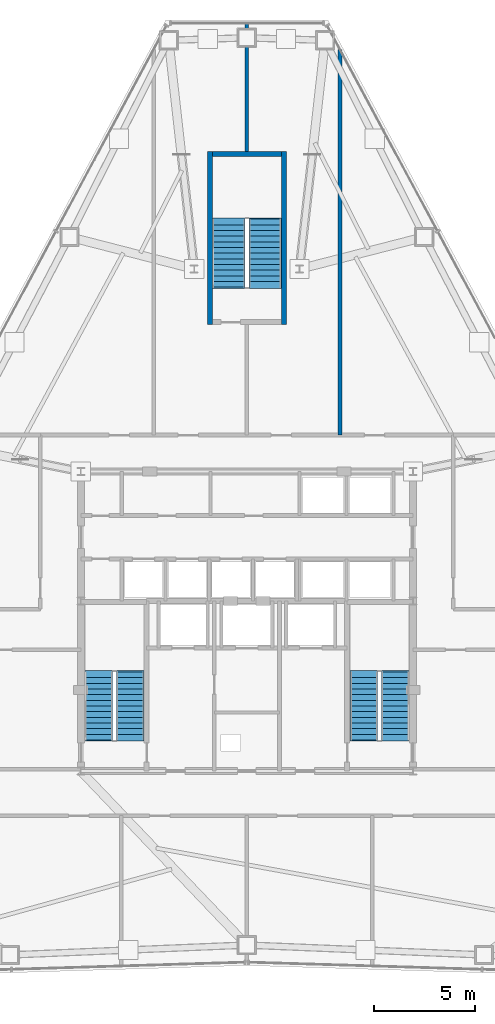
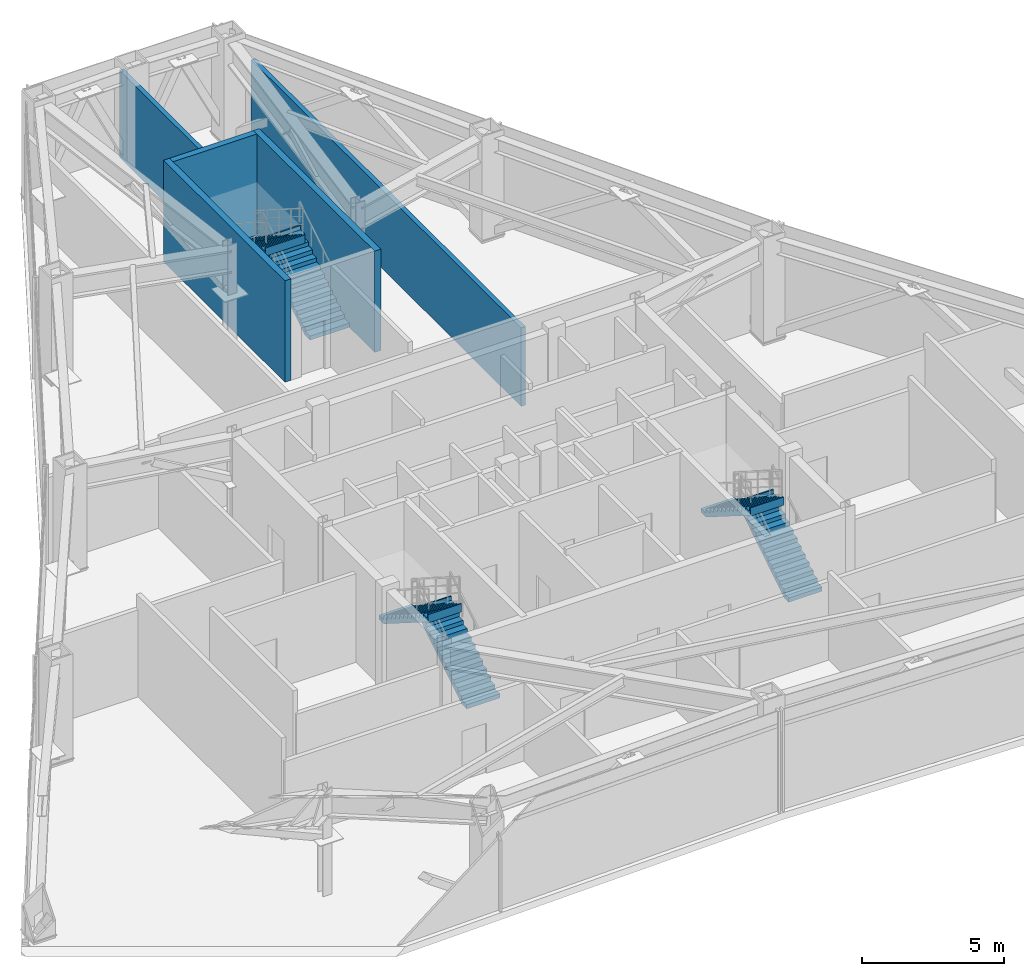
# One storey, part 11 of 12: 6 stair flights, 5 walls, 3 elements without a shape of their own.
"""IFC4 building model written with IfcOpenShell, lengths in metres."""

from ifc_helpers import new_model, si_unit, direction, frame, frame_2d, origin, place, context, subcontext, project, spatial, polyline, rectangle, outline, extrude, material, layer, layer_set, type_object, element, aggregate, save


model = new_model("IFC4")

# Units and contexts
model_context = context("Model", 3, precision=1e-05, world=origin(), true_north=direction((0.0, 1.0)))
body_context = subcontext(model_context, "Body", "Model", "MODEL_VIEW")
ifc_project = project(units=[si_unit("LENGTHUNIT", "METRE"), si_unit("AREAUNIT", "SQUARE_METRE"), si_unit("VOLUMEUNIT", "CUBIC_METRE"), si_unit("PLANEANGLEUNIT", "RADIAN"), si_unit("MASSUNIT", "GRAM", prefix="KILO")], contexts=[model_context])

# Site, building, storey
site_placement = place(None, origin())
site = spatial("IfcSite", under=ifc_project, at=site_placement, CompositionType="ELEMENT")
building_placement = place(site_placement, origin())
building = spatial("IfcBuilding", under=site, at=building_placement, Name="Varakhsha Concourse Tower", CompositionType="ELEMENT")
storey_placement = place(building_placement, frame((0.0, 0.0, 157.39990234375)))
storey = spatial("IfcBuildingStorey", under=building, at=storey_placement, Name="L45", CompositionType="ELEMENT", Elevation=157.39990234375)

# Walls
ifc_material_1 = material(Name="Fire-Rated Type X Gypsum Partition Assembly", Category="gypsum")
ifc_layer_1 = layer(ifc_material_1, 0.179931640625, Name="WL-PART-180")
ifc_layer_set_1 = layer_set([ifc_layer_1], Name="Fire-Rated Type X Gypsum Partition Assembly")
wall_type_1 = type_object("IfcWallType", Name="WL-PART-180", PredefinedType="PARTITIONING", material=ifc_layer_set_1)
wall_1_placement = place(storey_placement, frame((40.0, 47.0, 0.0), z_axis=(0.0, 0.0, 1.0), x_axis=(0.0, 1.0, 0.0)))
element("IfcWall", 1, at=wall_1_placement, inside=storey, type_object=wall_type_1, Name="L45 Wall PDIV-N2-L45-B", PredefinedType="PARTITIONING", context=body_context, shape_type="SweptSolid", body=[
    extrude(rectangle(XDim=6.33349609375, YDim=0.179931640625, at=frame_2d((3.166748046875, 0.0))), origin(), (0.0, 0.0, 1.0), 3.739013671875),
])
wall_2_placement = place(storey_placement, frame((44.60009765625, 33.0, 0.0), z_axis=(0.0, 0.0, 1.0), x_axis=(0.0, 1.0, 0.0)))
element("IfcWall", 2, at=wall_2_placement, inside=storey, type_object=wall_type_1, Name="L45 Wall PDIV-N3-L45", PredefinedType="PARTITIONING", context=body_context, shape_type="SweptSolid", body=[
    extrude(rectangle(XDim=19.033203125, YDim=0.179931640625, at=frame_2d((9.5166015625, 0.0))), origin(), (0.0, 0.0, 1.0), 3.375),
])
ifc_material_2 = material(Name="Concrete fc 45 MPa", Category="concrete")
ifc_layer_2 = layer(ifc_material_2, 0.25, Name="WL-STAIR-250")
ifc_layer_set_2 = layer_set([ifc_layer_2], Name="Concrete fc 45 MPa")
wall_type_2 = type_object("IfcWallType", Name="WL-STAIR-250", PredefinedType="SHEAR", material=ifc_layer_set_2)
for number, where, z_axis, x_axis, name in (
    (3, (38.175048828125, 38.449951171875, 0.0), (0.0, 0.0, 1.0), (0.0, 1.0, 0.0), "L45 Wall SWALL-ST5-W-L45"),
    (4, (41.824951171875, 38.449951171875, 0.0), (0.0, 0.0, 1.0), (0.0, 1.0, 0.0), "L45 Wall SWALL-ST5-E-L45"),
):
    element("IfcWall", number, at=place(storey_placement, frame(where, z_axis=z_axis, x_axis=x_axis)), inside=storey, type_object=wall_type_2, Name=name, PredefinedType="SHEAR", context=body_context, shape_type="SweptSolid", body=[
        extrude(rectangle(XDim=8.550048828125, YDim=0.25, at=frame_2d((4.27490234375, 0.0))), origin(), (0.0, 0.0, 1.0), 4.360107421875),
    ])
wall_3_placement = place(storey_placement, frame((38.300048828125, 46.875, 0.0), z_axis=(0.0, 0.0, 1.0), x_axis=(1.0, 0.0, 0.0)))
element("IfcWall", 5, at=wall_3_placement, inside=storey, type_object=wall_type_2, Name="L45 Wall SWALL-ST5-N-L45", PredefinedType="SHEAR", context=body_context, shape_type="SweptSolid", body=[
    extrude(rectangle(XDim=3.39990234375, YDim=0.25, at=frame_2d((1.699951171875, 0.0))), origin(), (0.0, 0.0, 1.0), 4.360107421875),
])

# Stair, stair flights
stair_type_1 = type_object("IfcStairType", Name="ST-DOGLEG-1360", PredefinedType="HALF_TURN_STAIR", material=ifc_material_2)
stair_1_placement = place(storey_placement, origin())
stair_1 = element("IfcStair", 6, at=stair_1_placement, inside=storey, type_object=stair_type_1, Name="L45 Protected Exit Stair ST1", PredefinedType="HALF_TURN_STAIR")
stair_flight_type_1 = type_object("IfcStairFlightType", Name="STF-1360-R1769", PredefinedType="STRAIGHT", material=ifc_material_2)
stair_flight_1_placement = place(storey_placement, frame((34.239990234375, 17.93994140625, 0.0), z_axis=(0.0, 0.0, 1.0), x_axis=(0.0, 1.0, 0.0)))
stair_flight_1 = element("IfcStairFlight", 7, at=stair_flight_1_placement, type_object=stair_flight_type_1, Name="ST1 flight 1", NumberOfRisers=13, NumberOfTreads=12, PredefinedType="STRAIGHT", RiserHeight=0.176923077, TreadLength=0.28, context=body_context, shape_type="SweptSolid", body=[
    extrude(outline(polyline([(-0.06005859375, 0.0), (-0.06005859375, 0.177001953125), (0.0, 0.177001953125), (0.280029296875, 0.177001953125), (0.280029296875, 0.353759765625), (0.56005859375, 0.353759765625), (0.56005859375, 0.53076171875), (0.840087890625, 0.53076171875), (0.840087890625, 0.707763671875), (1.1201171875, 0.707763671875), (1.1201171875, 0.884521484375), (1.39990234375, 0.884521484375), (1.39990234375, 1.0615234375), (1.679931640625, 1.0615234375), (1.679931640625, 1.238525390625), (1.9599609375, 1.238525390625), (1.9599609375, 1.415283203125), (2.239990234375, 1.415283203125), (2.239990234375, 1.59228515625), (2.52001953125, 1.59228515625), (2.52001953125, 1.769287109375), (2.800048828125, 1.769287109375), (2.800048828125, 1.946044921875), (3.080078125, 1.946044921875), (3.080078125, 2.123046875), (3.360107421875, 2.123046875), (3.360107421875, 2.300048828125), (3.419921875, 2.300048828125), (3.419921875, 1.94580078125), (3.360107421875, 1.94580078125), (0.280517578125, 0.0), (-0.06005859375, 0.0)])), frame((0.0, 0.68017578125, 0.0), z_axis=(0.0, -1.0, 0.0), x_axis=(1.0, 0.0, 0.0)), (0.0, 0.0, 1.0), 1.360107421875),
])
stair_flight_2_placement = place(storey_placement, frame((32.679931640625, 21.300048828125, 2.300048828125), z_axis=(0.0, 0.0, 1.0), x_axis=(0.0, -1.0, 0.0)))
stair_flight_2 = element("IfcStairFlight", 8, at=stair_flight_2_placement, type_object=stair_flight_type_1, Name="ST1 flight 2", NumberOfRisers=13, NumberOfTreads=12, PredefinedType="STRAIGHT", RiserHeight=0.176923077, TreadLength=0.28, context=body_context, shape_type="SweptSolid", body=[
    extrude(outline(polyline([(-0.06005859375, 0.0), (-0.06005859375, 0.177001953125), (0.0, 0.177001953125), (0.280029296875, 0.177001953125), (0.280029296875, 0.353759765625), (0.56005859375, 0.353759765625), (0.56005859375, 0.53076171875), (0.840087890625, 0.53076171875), (0.840087890625, 0.707763671875), (1.1201171875, 0.707763671875), (1.1201171875, 0.884521484375), (1.39990234375, 0.884521484375), (1.39990234375, 1.0615234375), (1.679931640625, 1.0615234375), (1.679931640625, 1.238525390625), (1.9599609375, 1.238525390625), (1.9599609375, 1.415283203125), (2.239990234375, 1.415283203125), (2.239990234375, 1.59228515625), (2.52001953125, 1.59228515625), (2.52001953125, 1.769287109375), (2.800048828125, 1.769287109375), (2.800048828125, 1.946044921875), (3.080078125, 1.946044921875), (3.080078125, 2.123046875), (3.360107421875, 2.123046875), (3.360107421875, 2.300048828125), (3.419921875, 2.300048828125), (3.419921875, 1.94580078125), (3.360107421875, 1.94580078125), (0.280517578125, 0.0), (-0.06005859375, 0.0)])), frame((0.0, 0.68017578125, 0.0), z_axis=(0.0, -1.0, 0.0), x_axis=(1.0, 0.0, 0.0)), (0.0, 0.0, 1.0), 1.360107421875),
])
aggregate(stair_1, [stair_flight_1, stair_flight_2])

stair_2_placement = place(storey_placement, origin())
stair_2 = element("IfcStair", 9, at=stair_2_placement, inside=storey, type_object=stair_type_1, Name="L45 Protected Exit Stair ST2", PredefinedType="HALF_TURN_STAIR")
stair_flight_3_placement = place(storey_placement, frame((47.340087890625, 17.93994140625, 0.0), z_axis=(0.0, 0.0, 1.0), x_axis=(0.0, 1.0, 0.0)))
stair_flight_3 = element("IfcStairFlight", 10, at=stair_flight_3_placement, type_object=stair_flight_type_1, Name="ST2 flight 1", NumberOfRisers=13, NumberOfTreads=12, PredefinedType="STRAIGHT", RiserHeight=0.176923077, TreadLength=0.28, context=body_context, shape_type="SweptSolid", body=[
    extrude(outline(polyline([(-0.06005859375, 0.0), (-0.06005859375, 0.177001953125), (0.0, 0.177001953125), (0.280029296875, 0.177001953125), (0.280029296875, 0.353759765625), (0.56005859375, 0.353759765625), (0.56005859375, 0.53076171875), (0.840087890625, 0.53076171875), (0.840087890625, 0.707763671875), (1.1201171875, 0.707763671875), (1.1201171875, 0.884521484375), (1.39990234375, 0.884521484375), (1.39990234375, 1.0615234375), (1.679931640625, 1.0615234375), (1.679931640625, 1.238525390625), (1.9599609375, 1.238525390625), (1.9599609375, 1.415283203125), (2.239990234375, 1.415283203125), (2.239990234375, 1.59228515625), (2.52001953125, 1.59228515625), (2.52001953125, 1.769287109375), (2.800048828125, 1.769287109375), (2.800048828125, 1.946044921875), (3.080078125, 1.946044921875), (3.080078125, 2.123046875), (3.360107421875, 2.123046875), (3.360107421875, 2.300048828125), (3.419921875, 2.300048828125), (3.419921875, 1.94580078125), (3.360107421875, 1.94580078125), (0.280517578125, 0.0), (-0.06005859375, 0.0)])), frame((0.0, 0.68017578125, 0.0), z_axis=(0.0, -1.0, 0.0), x_axis=(1.0, 0.0, 0.0)), (0.0, 0.0, 1.0), 1.360107421875),
])
stair_flight_4_placement = place(storey_placement, frame((45.780029296875, 21.300048828125, 2.300048828125), z_axis=(0.0, 0.0, 1.0), x_axis=(0.0, -1.0, 0.0)))
stair_flight_4 = element("IfcStairFlight", 11, at=stair_flight_4_placement, type_object=stair_flight_type_1, Name="ST2 flight 2", NumberOfRisers=13, NumberOfTreads=12, PredefinedType="STRAIGHT", RiserHeight=0.176923077, TreadLength=0.28, context=body_context, shape_type="SweptSolid", body=[
    extrude(outline(polyline([(-0.06005859375, 0.0), (-0.06005859375, 0.177001953125), (0.0, 0.177001953125), (0.280029296875, 0.177001953125), (0.280029296875, 0.353759765625), (0.56005859375, 0.353759765625), (0.56005859375, 0.53076171875), (0.840087890625, 0.53076171875), (0.840087890625, 0.707763671875), (1.1201171875, 0.707763671875), (1.1201171875, 0.884521484375), (1.39990234375, 0.884521484375), (1.39990234375, 1.0615234375), (1.679931640625, 1.0615234375), (1.679931640625, 1.238525390625), (1.9599609375, 1.238525390625), (1.9599609375, 1.415283203125), (2.239990234375, 1.415283203125), (2.239990234375, 1.59228515625), (2.52001953125, 1.59228515625), (2.52001953125, 1.769287109375), (2.800048828125, 1.769287109375), (2.800048828125, 1.946044921875), (3.080078125, 1.946044921875), (3.080078125, 2.123046875), (3.360107421875, 2.123046875), (3.360107421875, 2.300048828125), (3.419921875, 2.300048828125), (3.419921875, 1.94580078125), (3.360107421875, 1.94580078125), (0.280517578125, 0.0), (-0.06005859375, 0.0)])), frame((0.0, 0.68017578125, 0.0), z_axis=(0.0, -1.0, 0.0), x_axis=(1.0, 0.0, 0.0)), (0.0, 0.0, 1.0), 1.360107421875),
])
aggregate(stair_2, [stair_flight_3, stair_flight_4])

stair_type_2 = type_object("IfcStairType", Name="ST-DOGLEG-1600", PredefinedType="HALF_TURN_STAIR", material=ifc_material_2)
stair_3_placement = place(storey_placement, origin())
stair_3 = element("IfcStair", 12, at=stair_3_placement, inside=storey, type_object=stair_type_2, Name="L45 Protected Exit Stair ST5", PredefinedType="HALF_TURN_STAIR")
stair_flight_type_2 = type_object("IfcStairFlightType", Name="STF-1600-R1769", PredefinedType="STRAIGHT", material=ifc_material_2)
stair_flight_5_placement = place(storey_placement, frame((40.89990234375, 40.300048828125, 0.0), z_axis=(0.0, 0.0, 1.0), x_axis=(0.0, 1.0, 0.0)))
stair_flight_5 = element("IfcStairFlight", 13, at=stair_flight_5_placement, type_object=stair_flight_type_2, Name="ST5 flight 1", NumberOfRisers=13, NumberOfTreads=12, PredefinedType="STRAIGHT", RiserHeight=0.176923077, TreadLength=0.28, context=body_context, shape_type="SweptSolid", body=[
    extrude(outline(polyline([(-0.06005859375, 0.0), (-0.06005859375, 0.177001953125), (0.0, 0.177001953125), (0.280029296875, 0.177001953125), (0.280029296875, 0.353759765625), (0.56005859375, 0.353759765625), (0.56005859375, 0.53076171875), (0.840087890625, 0.53076171875), (0.840087890625, 0.707763671875), (1.1201171875, 0.707763671875), (1.1201171875, 0.884521484375), (1.39990234375, 0.884521484375), (1.39990234375, 1.0615234375), (1.679931640625, 1.0615234375), (1.679931640625, 1.238525390625), (1.9599609375, 1.238525390625), (1.9599609375, 1.415283203125), (2.239990234375, 1.415283203125), (2.239990234375, 1.59228515625), (2.52001953125, 1.59228515625), (2.52001953125, 1.769287109375), (2.800048828125, 1.769287109375), (2.800048828125, 1.946044921875), (3.080078125, 1.946044921875), (3.080078125, 2.123046875), (3.360107421875, 2.123046875), (3.360107421875, 2.300048828125), (3.419921875, 2.300048828125), (3.419921875, 1.94580078125), (3.360107421875, 1.94580078125), (0.280517578125, 0.0), (-0.06005859375, 0.0)])), frame((0.0, 0.800048828125, 0.0), z_axis=(0.0, -1.0, 0.0), x_axis=(1.0, 0.0, 0.0)), (0.0, 0.0, 1.0), 1.60009765625),
])
stair_flight_6_placement = place(storey_placement, frame((39.10009765625, 43.659912109375, 2.300048828125), z_axis=(0.0, 0.0, 1.0), x_axis=(0.0, -1.0, 0.0)))
stair_flight_6 = element("IfcStairFlight", 14, at=stair_flight_6_placement, type_object=stair_flight_type_2, Name="ST5 flight 2", NumberOfRisers=13, NumberOfTreads=12, PredefinedType="STRAIGHT", RiserHeight=0.176923077, TreadLength=0.28, context=body_context, shape_type="SweptSolid", body=[
    extrude(outline(polyline([(-0.06005859375, 0.0), (-0.06005859375, 0.177001953125), (0.0, 0.177001953125), (0.280029296875, 0.177001953125), (0.280029296875, 0.353759765625), (0.56005859375, 0.353759765625), (0.56005859375, 0.53076171875), (0.840087890625, 0.53076171875), (0.840087890625, 0.707763671875), (1.1201171875, 0.707763671875), (1.1201171875, 0.884521484375), (1.39990234375, 0.884521484375), (1.39990234375, 1.0615234375), (1.679931640625, 1.0615234375), (1.679931640625, 1.238525390625), (1.9599609375, 1.238525390625), (1.9599609375, 1.415283203125), (2.239990234375, 1.415283203125), (2.239990234375, 1.59228515625), (2.52001953125, 1.59228515625), (2.52001953125, 1.769287109375), (2.800048828125, 1.769287109375), (2.800048828125, 1.946044921875), (3.080078125, 1.946044921875), (3.080078125, 2.123046875), (3.360107421875, 2.123046875), (3.360107421875, 2.300048828125), (3.419921875, 2.300048828125), (3.419921875, 1.94580078125), (3.360107421875, 1.94580078125), (0.280517578125, 0.0), (-0.06005859375, 0.0)])), frame((0.0, 0.800048828125, 0.0), z_axis=(0.0, -1.0, 0.0), x_axis=(1.0, 0.0, 0.0)), (0.0, 0.0, 1.0), 1.60009765625),
])
aggregate(stair_3, [stair_flight_5, stair_flight_6])

save(model, "model.ifc")
